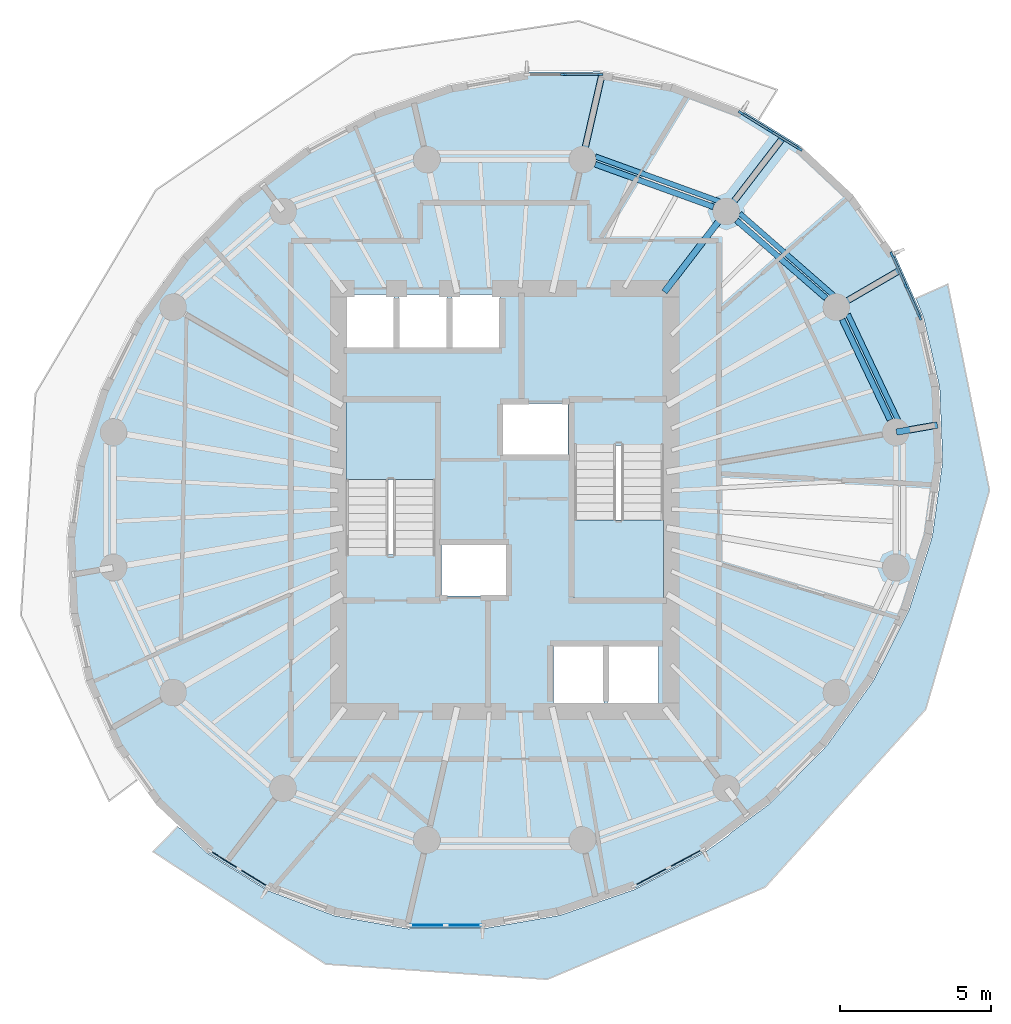
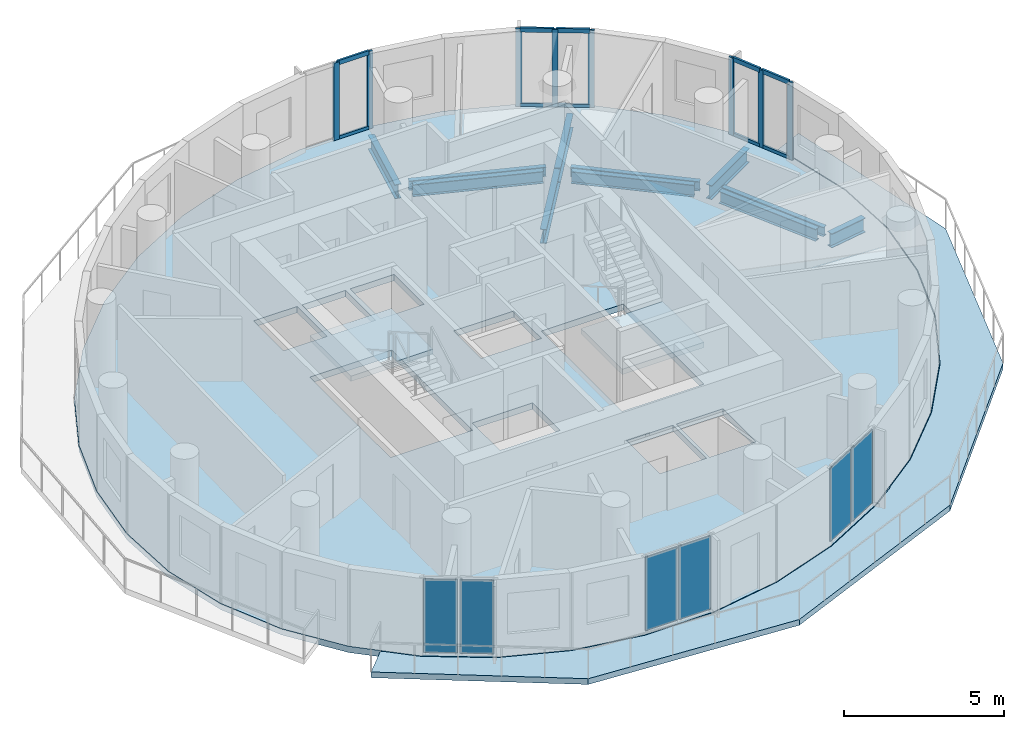
# One storey, part 3 of 10: 18 members, 11 beams, 6 plates, 4 slabs, 8 elements without a shape of their own.
"""IFC4 building model written with IfcOpenShell, lengths in metres."""

from ifc_helpers import new_model, si_unit, direction, frame, origin, origin_2d, place, context, subcontext, project, spatial, polyline, rectangle, i_section, outline, extrude, material, layer, layer_set, material_profile, profile_set, type_object, element, aggregate, save


model = new_model("IFC4")

# Units and contexts
model_context = context("Model", 3, precision=1e-05, world=origin(), true_north=direction((0.0, 1.0)))
body_context = subcontext(model_context, "Body", "Model", "MODEL_VIEW")
ifc_project = project(units=[si_unit("LENGTHUNIT", "METRE"), si_unit("AREAUNIT", "SQUARE_METRE"), si_unit("VOLUMEUNIT", "CUBIC_METRE"), si_unit("PLANEANGLEUNIT", "RADIAN"), si_unit("MASSUNIT", "GRAM", prefix="KILO")], contexts=[model_context])

# Site, building, storey
site_placement = place(None, origin())
site = spatial("IfcSite", under=ifc_project, at=site_placement, CompositionType="ELEMENT")
building_placement = place(site_placement, origin())
building = spatial("IfcBuilding", under=site, at=building_placement, Name="Veldorim Arch Residences", CompositionType="ELEMENT")
storey_placement = place(building_placement, frame((0.0, 0.0, 172.639892578125)))
storey = spatial("IfcBuildingStorey", under=building, at=storey_placement, Name="L51", CompositionType="ELEMENT", Elevation=172.639892578125)

# Beams
ifc_material_1 = material(Name="Steel S355", Category="steel")
ifc_material_profile_1 = material_profile(ifc_material_1, i_section(OverallWidth=0.2119140625, OverallDepth=0.54443359375, WebThickness=0.0126953125, FlangeThickness=0.021240234375, at=origin_2d()), Name="UB533x210x122")
ifc_profile_set_1 = profile_set([ifc_material_profile_1], Name="Steel S355")
beam_type_1 = type_object("IfcBeamType", Name="Structural Steel Beam UB533x210x122", PredefinedType="BEAM", material=ifc_profile_set_1)
beam_1_placement = place(storey_placement, frame((44.966064453125, 26.242919921875, -0.51220703125), z_axis=(0.985349360006, 0.170548054035, 0.0), x_axis=(-0.170548054035, 0.985349360006, 0.0)))
element("IfcBeam", 1, at=beam_1_placement, inside=storey, type_object=beam_type_1, Name="L51 radial edge cantilever girder 01", PredefinedType="BEAM", context=body_context, shape_type="SweptSolid", body=[
    extrude(i_section(OverallWidth=0.2119140625, OverallDepth=0.54443359375, WebThickness=0.0126953125, FlangeThickness=0.021240234375, at=origin_2d()), origin(), (0.0, 0.0, 1.0), 1.377197265625),
])
beam_2_placement = place(storey_placement, frame((42.99267578125, 30.387939453125, -0.51220703125), z_axis=(0.864610127671, 0.502443357135, 0.0), x_axis=(-0.502443357135, 0.864610127671, 0.0)))
element("IfcBeam", 2, at=beam_2_placement, inside=storey, type_object=beam_type_1, Name="L51 radial edge cantilever girder 02", PredefinedType="BEAM", context=body_context, shape_type="SweptSolid", body=[
    extrude(i_section(OverallWidth=0.2119140625, OverallDepth=0.54443359375, WebThickness=0.0126953125, FlangeThickness=0.021240234375, at=origin_2d()), origin(), (0.0, 0.0, 1.0), 2.372314453125),
])
beam_3_placement = place(storey_placement, frame((37.28662109375, 30.881103515625, -0.51220703125), z_axis=(0.609258442308, 0.792971721108, 0.0), x_axis=(-0.792971721108, 0.609258442308, 0.0)))
element("IfcBeam", 3, at=beam_3_placement, inside=storey, type_object=beam_type_1, Name="L51 radial floor girder 03", PredefinedType="BEAM", context=body_context, shape_type="SweptSolid", body=[
    extrude(i_section(OverallWidth=0.2119140625, OverallDepth=0.54443359375, WebThickness=0.0126953125, FlangeThickness=0.021240234375, at=origin_2d()), origin(), (0.0, 0.0, 1.0), 3.339599609375),
])
beam_4_placement = place(storey_placement, frame((39.345703125, 33.561279296875, -0.51220703125), z_axis=(0.609245785417, 0.792981445528, 0.0), x_axis=(-0.792981445528, 0.609245785417, 0.0)))
element("IfcBeam", 4, at=beam_4_placement, inside=storey, type_object=beam_type_1, Name="L51 radial edge cantilever girder 03", PredefinedType="BEAM", context=body_context, shape_type="SweptSolid", body=[
    extrude(i_section(OverallWidth=0.2119140625, OverallDepth=0.54443359375, WebThickness=0.0126953125, FlangeThickness=0.021240234375, at=origin_2d()), origin(), (0.0, 0.0, 1.0), 3.020263671875),
])
beam_5_placement = place(storey_placement, frame((34.57958984375, 35.27880859375, -0.51220703125), z_axis=(0.222975521586, 0.974824044007, 0.0), x_axis=(-0.974824044007, 0.222975521586, 0.0)))
element("IfcBeam", 5, at=beam_5_placement, inside=storey, type_object=beam_type_1, Name="L51 radial edge cantilever girder 04", PredefinedType="BEAM", context=body_context, shape_type="SweptSolid", body=[
    extrude(i_section(OverallWidth=0.2119140625, OverallDepth=0.54443359375, WebThickness=0.0126953125, FlangeThickness=0.021240234375, at=origin_2d()), origin(), (0.0, 0.0, 1.0), 2.85888671875),
])
ifc_material_2 = material(Name="Steel S355", Category="steel")
ifc_material_profile_2 = material_profile(ifc_material_2, i_section(OverallWidth=0.172119140625, OverallDepth=0.35791015625, WebThickness=0.008056640625, FlangeThickness=0.012939453125, at=origin_2d()), Name="UB356x171x57")
ifc_profile_set_2 = profile_set([ifc_material_profile_2], Name="Steel S355")
beam_type_2 = type_object("IfcBeamType", Name="Structural Steel Spandrel UB356x171x57", PredefinedType="SPANDREL", material=ifc_profile_set_2)
beam_6_placement = place(storey_placement, frame((45.0205078125, 26.6396484375, -0.43896484375), z_axis=(-0.428408308939, 0.903585259304, 0.0), x_axis=(-0.903585259304, -0.428408308939, 0.0)))
element("IfcBeam", 6, at=beam_6_placement, inside=storey, type_object=beam_type_2, Name="L51 perimeter chord spandrel beam 01", PredefinedType="SPANDREL", context=body_context, shape_type="SweptSolid", body=[
    extrude(i_section(OverallWidth=0.172119140625, OverallDepth=0.35791015625, WebThickness=0.008056640625, FlangeThickness=0.012939453125, at=origin_2d()), origin(), (0.0, 0.0, 1.0), 3.878662109375),
])
beam_7_placement = place(storey_placement, frame((42.891357421875, 30.762939453125, -0.43896484375), z_axis=(-0.752847646119, 0.6581948205, 0.0), x_axis=(-0.6581948205, -0.752847646119, 0.0)))
element("IfcBeam", 7, at=beam_7_placement, inside=storey, type_object=beam_type_2, Name="L51 perimeter chord spandrel beam 02", PredefinedType="SPANDREL", context=body_context, shape_type="SweptSolid", body=[
    extrude(i_section(OverallWidth=0.172119140625, OverallDepth=0.35791015625, WebThickness=0.008056640625, FlangeThickness=0.012939453125, at=origin_2d()), origin(), (0.0, 0.0, 1.0), 4.12939453125),
])
beam_8_placement = place(storey_placement, frame((39.112060546875, 33.87646484375, -0.43896484375), z_axis=(-0.940164695555, 0.340720332871, 0.0), x_axis=(-0.340720332871, -0.940164695555, 0.0)))
element("IfcBeam", 8, at=beam_8_placement, inside=storey, type_object=beam_type_2, Name="L51 perimeter chord spandrel beam 03", PredefinedType="SPANDREL", context=body_context, shape_type="SweptSolid", body=[
    extrude(i_section(OverallWidth=0.172119140625, OverallDepth=0.35791015625, WebThickness=0.008056640625, FlangeThickness=0.012939453125, at=origin_2d()), origin(), (0.0, 0.0, 1.0), 4.370849609375),
])
ifc_material_3 = material(Name="Steel S355", Category="steel")
ifc_material_profile_3 = material_profile(ifc_material_3, i_section(OverallWidth=0.19140625, OverallDepth=0.4599609375, WebThickness=0.010009765625, FlangeThickness=0.01611328125, at=origin_2d()), Name="UB457x191x82")
ifc_profile_set_3 = profile_set([ifc_material_profile_3], Name="Steel S355")
beam_type_3 = type_object("IfcBeamType", Name="Structural Steel Spandrel UB457x191x82", PredefinedType="SPANDREL", material=ifc_profile_set_3)
beam_9_placement = place(storey_placement, frame((44.7529296875, 26.64599609375, -0.469970703125), z_axis=(-0.430005613988, 0.902826213586, 0.0), x_axis=(-0.902826213586, -0.430005613988, 0.0)))
element("IfcBeam", 9, at=beam_9_placement, inside=storey, type_object=beam_type_3, Name="L51 perimeter ring tie beam 01", PredefinedType="SPANDREL", context=body_context, shape_type="SweptSolid", body=[
    extrude(i_section(OverallWidth=0.19140625, OverallDepth=0.4599609375, WebThickness=0.010009765625, FlangeThickness=0.01611328125, at=origin_2d()), origin(), (0.0, 0.0, 1.0), 3.68359375),
])
beam_10_placement = place(storey_placement, frame((42.635986328125, 30.673095703125, -0.469970703125), z_axis=(-0.754545285701, 0.656247980436, 0.0), x_axis=(-0.656247980436, -0.754545285701, 0.0)))
element("IfcBeam", 10, at=beam_10_placement, inside=storey, type_object=beam_type_3, Name="L51 perimeter ring tie beam 02", PredefinedType="SPANDREL", context=body_context, shape_type="SweptSolid", body=[
    extrude(i_section(OverallWidth=0.19140625, OverallDepth=0.4599609375, WebThickness=0.010009765625, FlangeThickness=0.01611328125, at=origin_2d()), origin(), (0.0, 0.0, 1.0), 3.9267578125),
])
beam_11_placement = place(storey_placement, frame((38.91015625, 33.69775390625, -0.469970703125), z_axis=(-0.940811035395, 0.338931550137, 0.0), x_axis=(-0.338931550137, -0.940811035395, 0.0)))
element("IfcBeam", 11, at=beam_11_placement, inside=storey, type_object=beam_type_3, Name="L51 perimeter ring tie beam 03", PredefinedType="SPANDREL", context=body_context, shape_type="SweptSolid", body=[
    extrude(i_section(OverallWidth=0.19140625, OverallDepth=0.4599609375, WebThickness=0.010009765625, FlangeThickness=0.01611328125, at=origin_2d()), origin(), (0.0, 0.0, 1.0), 4.15771484375),
])

# Curtain wall, members
ifc_material_4 = material(Name="Aluminium", Category="aluminium")
curtain_wall_type = type_object("IfcCurtainWallType", Name="Zone 4 High-Altitude Unitised Curtain Wall", PredefinedType="NOTDEFINED", material=ifc_material_4)
curtain_wall_1_placement = place(storey_placement, origin())
curtain_wall_1 = element("IfcCurtainWall", 12, at=curtain_wall_1_placement, inside=storey, type_object=curtain_wall_type, Name="L51 unitised curtain wall bay 02", PredefinedType="NOTDEFINED")
ifc_material_5 = material(Name="Aluminium", Category="aluminium")
ifc_material_profile_4 = material_profile(ifc_material_5, rectangle(XDim=0.074951171875, YDim=0.195068359375, at=origin_2d()), Name="ALU_MUL_75x195")
ifc_profile_set_4 = profile_set([ifc_material_profile_4], Name="Aluminium")
member_type_1 = type_object("IfcMemberType", Name="Zone 4 High-Altitude Unitised Curtain Wall Mullion 75x195", PredefinedType="MULLION", material=ifc_profile_set_4)
member_1_placement = place(storey_placement, frame((39.82470703125, 36.80859375, 0.0), z_axis=(0.0, 0.0, 1.0), x_axis=(0.525637112191, 0.850708896326, 0.0)))
member_1 = element("IfcMember", 13, at=member_1_placement, type_object=member_type_1, Name="CW-Z4 mullion 1", PredefinedType="MULLION", context=body_context, shape_type="SweptSolid", body=[
    extrude(rectangle(XDim=0.074951171875, YDim=0.195068359375, at=origin_2d()), origin(), (0.0, 0.0, 1.0), 2.960205078125),
])
member_2_placement = place(storey_placement, frame((40.791015625, 36.21142578125, 0.0), z_axis=(0.0, 0.0, 1.0), x_axis=(0.525637112191, 0.850708896326, 0.0)))
member_2 = element("IfcMember", 14, at=member_2_placement, type_object=member_type_1, Name="CW-Z4 mullion 2", PredefinedType="MULLION", context=body_context, shape_type="SweptSolid", body=[
    extrude(rectangle(XDim=0.074951171875, YDim=0.195068359375, at=origin_2d()), origin(), (0.0, 0.0, 1.0), 2.960205078125),
])
member_3_placement = place(storey_placement, frame((41.75732421875, 35.614501953125, 0.0), z_axis=(0.0, 0.0, 1.0), x_axis=(0.525637112191, 0.850708896326, 0.0)))
member_3 = element("IfcMember", 15, at=member_3_placement, type_object=member_type_1, Name="CW-Z4 mullion 3", PredefinedType="MULLION", context=body_context, shape_type="SweptSolid", body=[
    extrude(rectangle(XDim=0.074951171875, YDim=0.195068359375, at=origin_2d()), origin(), (0.0, 0.0, 1.0), 2.960205078125),
])

curtain_wall_2_placement = place(storey_placement, origin())
curtain_wall_2 = element("IfcCurtainWall", 16, at=curtain_wall_2_placement, inside=storey, type_object=curtain_wall_type, Name="L51 unitised curtain wall bay 05", PredefinedType="NOTDEFINED")
member_4_placement = place(storey_placement, frame((33.949462890625, 38.07666015625, 0.0), z_axis=(0.0, 0.0, 1.0), x_axis=(-0.002677634077, 0.999996415131, 0.0)))
member_4 = element("IfcMember", 17, at=member_4_placement, type_object=member_type_1, Name="CW-Z4 mullion 2", PredefinedType="MULLION", context=body_context, shape_type="SweptSolid", body=[
    extrude(rectangle(XDim=0.074951171875, YDim=0.195068359375, at=origin_2d()), origin(), (0.0, 0.0, 1.0), 2.960205078125),
])
member_5_placement = place(storey_placement, frame((35.1630859375, 38.080078125, 0.0), z_axis=(0.0, 0.0, 1.0), x_axis=(-0.002677634077, 0.999996415131, 0.0)))
member_5 = element("IfcMember", 18, at=member_5_placement, type_object=member_type_1, Name="CW-Z4 mullion 3", PredefinedType="MULLION", context=body_context, shape_type="SweptSolid", body=[
    extrude(rectangle(XDim=0.074951171875, YDim=0.195068359375, at=origin_2d()), origin(), (0.0, 0.0, 1.0), 2.960205078125),
])

curtain_wall_3_placement = place(storey_placement, origin())
curtain_wall_3 = element("IfcCurtainWall", 19, at=curtain_wall_3_placement, inside=storey, type_object=curtain_wall_type, Name="L51 unitised curtain wall bay 35", PredefinedType="NOTDEFINED")
member_6_placement = place(storey_placement, frame((44.814208984375, 32.117431640625, 0.0), z_axis=(0.0, 0.0, 1.0), x_axis=(0.913308311578, 0.407268864514, 0.0)))
member_6 = element("IfcMember", 20, at=member_6_placement, type_object=member_type_1, Name="CW-Z4 mullion 1", PredefinedType="MULLION", context=body_context, shape_type="SweptSolid", body=[
    extrude(rectangle(XDim=0.074951171875, YDim=0.195068359375, at=origin_2d()), origin(), (0.0, 0.0, 1.0), 2.960205078125),
])
member_7_placement = place(storey_placement, frame((45.27685546875, 31.080078125, 0.0), z_axis=(0.0, 0.0, 1.0), x_axis=(0.913308311578, 0.407268864514, 0.0)))
member_7 = element("IfcMember", 21, at=member_7_placement, type_object=member_type_1, Name="CW-Z4 mullion 2", PredefinedType="MULLION", context=body_context, shape_type="SweptSolid", body=[
    extrude(rectangle(XDim=0.074951171875, YDim=0.195068359375, at=origin_2d()), origin(), (0.0, 0.0, 1.0), 2.960205078125),
])
member_8_placement = place(storey_placement, frame((45.739501953125, 30.042724609375, 0.0), z_axis=(0.0, 0.0, 1.0), x_axis=(0.913308311578, 0.407268864514, 0.0)))
member_8 = element("IfcMember", 22, at=member_8_placement, type_object=member_type_1, Name="CW-Z4 mullion 3", PredefinedType="MULLION", context=body_context, shape_type="SweptSolid", body=[
    extrude(rectangle(XDim=0.074951171875, YDim=0.195068359375, at=origin_2d()), origin(), (0.0, 0.0, 1.0), 2.960205078125),
])

# Member
ifc_material_6 = material(Name="Aluminium", Category="aluminium")
ifc_material_profile_5 = material_profile(ifc_material_6, rectangle(XDim=0.074951171875, YDim=0.1650390625, at=origin_2d()), Name="ALU_TRN_75x165")
ifc_profile_set_5 = profile_set([ifc_material_profile_5], Name="Aluminium")
member_type_2 = type_object("IfcMemberType", Name="Zone 4 High-Altitude Unitised Curtain Wall Transom 75x165", PredefinedType="USERDEFINED", material=ifc_profile_set_5)
member_9_placement = place(storey_placement, frame((39.8564453125, 36.788818359375, 0.03759765625), z_axis=(0.850740499179, -0.525585961624, 0.0), x_axis=(0.525585961624, 0.850740499179, 0.0)))
member_9 = element("IfcMember", 23, at=member_9_placement, type_object=member_type_2, Name="CW-Z4 transom 1.1", ObjectType="TRANSOM", PredefinedType="USERDEFINED", context=body_context, shape_type="SweptSolid", body=[
    extrude(rectangle(XDim=0.074951171875, YDim=0.1650390625, at=origin_2d()), origin(), (0.0, 0.0, 1.0), 1.06103515625),
])

member_10_placement = place(storey_placement, frame((39.8564453125, 36.788818359375, 2.922607421875), z_axis=(0.850740499179, -0.525585961624, 0.0), x_axis=(0.525585961624, 0.850740499179, 0.0)))
member_10 = element("IfcMember", 24, at=member_10_placement, type_object=member_type_2, Name="CW-Z4 transom 1.2", ObjectType="TRANSOM", PredefinedType="USERDEFINED", context=body_context, shape_type="SweptSolid", body=[
    extrude(rectangle(XDim=0.074951171875, YDim=0.1650390625, at=origin_2d()), origin(), (0.0, 0.0, 1.0), 1.06103515625),
])

member_11_placement = place(storey_placement, frame((40.82275390625, 36.19189453125, 0.03759765625), z_axis=(0.850637601688, -0.525752480351, 0.0), x_axis=(0.525752480351, 0.850637601688, 0.0)))
member_11 = element("IfcMember", 25, at=member_11_placement, type_object=member_type_2, Name="CW-Z4 transom 2.1", ObjectType="TRANSOM", PredefinedType="USERDEFINED", context=body_context, shape_type="SweptSolid", body=[
    extrude(rectangle(XDim=0.074951171875, YDim=0.1650390625, at=origin_2d()), origin(), (0.0, 0.0, 1.0), 1.06103515625),
])

member_12_placement = place(storey_placement, frame((40.82275390625, 36.19189453125, 2.922607421875), z_axis=(0.850637601688, -0.525752480351, 0.0), x_axis=(0.525752480351, 0.850637601688, 0.0)))
member_12 = element("IfcMember", 26, at=member_12_placement, type_object=member_type_2, Name="CW-Z4 transom 2.2", ObjectType="TRANSOM", PredefinedType="USERDEFINED", context=body_context, shape_type="SweptSolid", body=[
    extrude(rectangle(XDim=0.074951171875, YDim=0.1650390625, at=origin_2d()), origin(), (0.0, 0.0, 1.0), 1.06103515625),
])

aggregate(curtain_wall_1, [member_1, member_2, member_3, member_9, member_10, member_11, member_12])

member_13_placement = place(storey_placement, frame((33.987060546875, 38.076904296875, 0.03759765625), z_axis=(0.999996688693, 0.002573442047, 0.0), x_axis=(-0.002573442047, 0.999996688693, 0.0)))
member_13 = element("IfcMember", 27, at=member_13_placement, type_object=member_type_2, Name="CW-Z4 transom 2.1", ObjectType="TRANSOM", PredefinedType="USERDEFINED", context=body_context, shape_type="SweptSolid", body=[
    extrude(rectangle(XDim=0.074951171875, YDim=0.1650390625, at=origin_2d()), origin(), (0.0, 0.0, 1.0), 1.138427734375),
])

member_14_placement = place(storey_placement, frame((33.987060546875, 38.076904296875, 2.922607421875), z_axis=(0.999996688693, 0.002573442047, 0.0), x_axis=(-0.002573442047, 0.999996688693, 0.0)))
member_14 = element("IfcMember", 28, at=member_14_placement, type_object=member_type_2, Name="CW-Z4 transom 2.2", ObjectType="TRANSOM", PredefinedType="USERDEFINED", context=body_context, shape_type="SweptSolid", body=[
    extrude(rectangle(XDim=0.074951171875, YDim=0.1650390625, at=origin_2d()), origin(), (0.0, 0.0, 1.0), 1.138427734375),
])

aggregate(curtain_wall_2, [member_4, member_5, member_13, member_14])

member_15_placement = place(storey_placement, frame((44.829345703125, 32.083251953125, 0.03759765625), z_axis=(0.407291054764, -0.913298416022, 0.0), x_axis=(0.913298416022, 0.407291054764, 0.0)))
member_15 = element("IfcMember", 29, at=member_15_placement, type_object=member_type_2, Name="CW-Z4 transom 1.1", ObjectType="TRANSOM", PredefinedType="USERDEFINED", context=body_context, shape_type="SweptSolid", body=[
    extrude(rectangle(XDim=0.074951171875, YDim=0.1650390625, at=origin_2d()), origin(), (0.0, 0.0, 1.0), 1.06103515625),
])

member_16_placement = place(storey_placement, frame((44.829345703125, 32.083251953125, 2.922607421875), z_axis=(0.407291054764, -0.913298416022, 0.0), x_axis=(0.913298416022, 0.407291054764, 0.0)))
member_16 = element("IfcMember", 30, at=member_16_placement, type_object=member_type_2, Name="CW-Z4 transom 1.2", ObjectType="TRANSOM", PredefinedType="USERDEFINED", context=body_context, shape_type="SweptSolid", body=[
    extrude(rectangle(XDim=0.074951171875, YDim=0.1650390625, at=origin_2d()), origin(), (0.0, 0.0, 1.0), 1.06103515625),
])

member_17_placement = place(storey_placement, frame((45.2919921875, 31.0458984375, 0.03759765625), z_axis=(0.407291054764, -0.913298416022, 0.0), x_axis=(0.913298416022, 0.407291054764, 0.0)))
member_17 = element("IfcMember", 31, at=member_17_placement, type_object=member_type_2, Name="CW-Z4 transom 2.1", ObjectType="TRANSOM", PredefinedType="USERDEFINED", context=body_context, shape_type="SweptSolid", body=[
    extrude(rectangle(XDim=0.074951171875, YDim=0.1650390625, at=origin_2d()), origin(), (0.0, 0.0, 1.0), 1.06103515625),
])

member_18_placement = place(storey_placement, frame((45.2919921875, 31.0458984375, 2.922607421875), z_axis=(0.407291054764, -0.913298416022, 0.0), x_axis=(0.913298416022, 0.407291054764, 0.0)))
member_18 = element("IfcMember", 32, at=member_18_placement, type_object=member_type_2, Name="CW-Z4 transom 2.2", ObjectType="TRANSOM", PredefinedType="USERDEFINED", context=body_context, shape_type="SweptSolid", body=[
    extrude(rectangle(XDim=0.074951171875, YDim=0.1650390625, at=origin_2d()), origin(), (0.0, 0.0, 1.0), 1.06103515625),
])

aggregate(curtain_wall_3, [member_6, member_7, member_8, member_15, member_16, member_17, member_18])

# Slab
ifc_material_7 = material(Name="Concrete C40/50", Category="concrete")
ifc_layer_1 = layer(ifc_material_7, 0.219970703125, Name="Planted Crescent Cantilever Balcony Slab 220")
ifc_layer_set_1 = layer_set([ifc_layer_1], Name="Concrete C40/50")
slab_type_1 = type_object("IfcSlabType", Name="Planted Crescent Cantilever Balcony Slab 220", PredefinedType="FLOOR", material=ifc_layer_set_1)
slab_1_placement = place(storey_placement, frame((0.0, 0.0, -0.219970703125)))
element("IfcSlab", 33, at=slab_1_placement, inside=storey, type_object=slab_type_1, Name="L51 planted crescent balcony slab B", PredefinedType="FLOOR", context=body_context, shape_type="SweptSolid", body=[
    extrude(outline(polyline([(21.28759765625, 13.114013671875), (22.148193359375, 12.30859375), (24.14892578125, 11.072509765625), (26.387939453125, 10.2294921875), (28.79736328125, 9.804931640625), (31.303955078125, 9.8115234375), (33.83154296875, 10.24951171875), (36.30322265625, 11.10498046875), (38.64404296875, 12.35205078125), (39.426025390625, 12.909912109375), (39.509033203125, 12.999267578125), (40.783203125, 13.952880859375), (42.655517578125, 15.85888671875), (44.204345703125, 18.01220703125), (45.38232421875, 20.347412109375), (46.154296875, 22.793701171875), (46.356689453125, 24.266357421875), (46.398193359375, 24.38525390625), (46.38623046875, 24.480712890625), (46.495849609375, 25.27685546875), (46.39697265625, 27.721435546875), (45.860595703125, 30.052978515625), (45.611083984375, 30.665771484375), (46.661865234375, 31.1328125), (48.04443359375, 24.315185546875), (45.931640625, 17.061279296875), (40.623291015625, 11.184814453125), (33.410888671875, 8.1328125), (26.0712890625, 8.637451171875), (20.367431640625, 12.356201171875), (21.172607421875, 13.17724609375), (21.28759765625, 13.114013671875)])), origin(), (0.0, 0.0, 1.0), 0.219970703125),
])

# Stair, slab
ifc_material_8 = material(Name="Concrete C40/50", Category="concrete")
stair_type = type_object("IfcStairType", Name="Reinforced Concrete Dogleg Exit Staircase", PredefinedType="HALF_TURN_STAIR", material=ifc_material_8)
stair_1_placement = place(storey_placement, origin())
stair_1 = element("IfcStair", 34, at=stair_1_placement, inside=storey, type_object=stair_type, Name="L51 Exit Staircase ST-1", PredefinedType="HALF_TURN_STAIR")
ifc_material_9 = material(Name="Concrete C40/50", Category="concrete")
ifc_layer_2 = layer(ifc_material_9, 0.199951171875, Name="Reinforced Concrete Stair Landing 200")
ifc_layer_set_2 = layer_set([ifc_layer_2], Name="Concrete C40/50")
slab_type_2 = type_object("IfcSlabType", Name="Reinforced Concrete Stair Landing 200", PredefinedType="LANDING", material=ifc_layer_set_2)
slab_2_placement = place(storey_placement, frame((0.0, 0.0, 1.400146484375)))
slab_2 = element("IfcSlab", 35, at=slab_2_placement, type_object=slab_type_2, Name="ST-1 landing 1", PredefinedType="LANDING", context=body_context, shape_type="SweptSolid", body=[
    extrude(outline(polyline([(29.7099609375, 24.669921875), (29.7099609375, 27.25), (26.75, 27.25), (26.75, 24.669921875), (29.7099609375, 24.669921875)])), origin(), (0.0, 0.0, 1.0), 0.199951171875),
])
aggregate(stair_1, [slab_2])

stair_2_placement = place(storey_placement, origin())
stair_2 = element("IfcStair", 36, at=stair_2_placement, inside=storey, type_object=stair_type, Name="L51 Exit Staircase ST-2", PredefinedType="HALF_TURN_STAIR")
slab_3_placement = place(storey_placement, frame((0.0, 0.0, 1.400146484375)))
slab_3 = element("IfcSlab", 37, at=slab_3_placement, type_object=slab_type_2, Name="ST-2 landing 1", PredefinedType="LANDING", context=body_context, shape_type="SweptSolid", body=[
    extrude(outline(polyline([(34.2900390625, 23.330078125), (34.2900390625, 20.75), (37.25, 20.75), (37.25, 23.330078125), (34.2900390625, 23.330078125)])), origin(), (0.0, 0.0, 1.0), 0.199951171875),
])
aggregate(stair_2, [slab_3])

# Slab
ifc_material_10 = material(Name="Concrete C40/50", Category="concrete")
ifc_layer_3 = layer(ifc_material_10, 0.239990234375, Name="Typical Residential Floor Slab 240")
ifc_layer_set_3 = layer_set([ifc_layer_3], Name="Concrete C40/50")
slab_type_3 = type_object("IfcSlabType", Name="Typical Residential Floor Slab 240", PredefinedType="FLOOR", material=ifc_layer_set_3)
slab_4_placement = place(storey_placement, frame((0.0, 0.0, -0.239990234375)))
element("IfcSlab", 38, at=slab_4_placement, inside=storey, type_object=slab_type_3, Name="L51 tower structural floor slab", PredefinedType="FLOOR", context=body_context, shape_type="SweptSolid", body=[
    extrude(outline(polyline([(43.533935546875, 34.0830078125), (41.83642578125, 35.67138671875), (39.840087890625, 36.90478515625), (37.60546875, 37.746337890625), (35.200439453125, 38.170166015625), (32.6982421875, 38.163330078125), (30.1748046875, 37.726318359375), (27.706787109375, 36.8720703125), (25.369384765625, 35.626708984375), (23.2333984375, 34.0283203125), (21.363525390625, 32.125), (19.817138671875, 29.974853515625), (18.640869140625, 27.643310546875), (17.870361328125, 25.20068359375), (17.529296875, 22.721923828125), (17.6279296875, 20.281982421875), (18.1630859375, 17.954833984375), (19.118896484375, 15.8115234375), (20.466064453125, 13.9169921875), (22.16357421875, 12.32861328125), (24.159912109375, 11.09521484375), (26.39453125, 10.253662109375), (28.799560546875, 9.829833984375), (31.3017578125, 9.836669921875), (33.8251953125, 10.273681640625), (36.293212890625, 11.1279296875), (38.630615234375, 12.373291015625), (40.7666015625, 13.9716796875), (42.636474609375, 15.875), (44.182861328125, 18.025146484375), (45.359130859375, 20.356689453125), (46.129638671875, 22.79931640625), (46.470703125, 25.278076171875), (46.3720703125, 27.718017578125), (45.8369140625, 30.045166015625), (44.881103515625, 32.1884765625), (43.533935546875, 34.0830078125)]), holes=[polyline([(33.610107421875, 17.2099609375), (33.610107421875, 19.2900390625), (35.2900390625, 19.2900390625), (35.2900390625, 17.2099609375), (33.610107421875, 17.2099609375)]), polyline([(35.409912109375, 17.2099609375), (35.409912109375, 19.2900390625), (37.090087890625, 19.2900390625), (37.090087890625, 17.2099609375), (35.409912109375, 17.2099609375)]), polyline([(29.909912109375, 20.81494140625), (29.909912109375, 22.544921875), (32.090087890625, 22.544921875), (32.090087890625, 20.81494140625), (29.909912109375, 20.81494140625)]), polyline([(34.2900390625, 20.75), (34.2900390625, 25.804931640625), (37.25, 25.804931640625), (37.25, 20.75), (34.2900390625, 20.75)]), polyline([(26.75, 22.195068359375), (26.75, 27.25), (29.7099609375, 27.25), (29.7099609375, 22.195068359375), (26.75, 22.195068359375)]), polyline([(31.909912109375, 25.455078125), (31.909912109375, 27.18505859375), (34.090087890625, 27.18505859375), (34.090087890625, 25.455078125), (31.909912109375, 25.455078125)]), polyline([(26.760009765625, 28.909912109375), (26.760009765625, 30.7900390625), (28.340087890625, 30.7900390625), (28.340087890625, 28.909912109375), (26.760009765625, 28.909912109375)]), polyline([(28.510009765625, 30.7900390625), (30.090087890625, 30.7900390625), (30.090087890625, 28.909912109375), (28.510009765625, 28.909912109375), (28.510009765625, 30.7900390625)]), polyline([(30.260009765625, 30.7900390625), (31.840087890625, 30.7900390625), (31.840087890625, 28.909912109375), (30.260009765625, 28.909912109375), (30.260009765625, 30.7900390625)])]), origin(), (0.0, 0.0, 1.0), 0.239990234375),
])

# Curtain wall, plates
curtain_wall_4_placement = place(storey_placement, origin())
curtain_wall_4 = element("IfcCurtainWall", 39, at=curtain_wall_4_placement, inside=storey, type_object=curtain_wall_type, Name="L51 unitised curtain wall bay 20", PredefinedType="NOTDEFINED")
ifc_material_11 = material(Name="Laminated Low-E Glass", Category="glass")
ifc_layer_4 = layer(ifc_material_11, 0.030029296875, Name="Zone 4 High-Altitude Unitised Curtain Wall Glazing Panel 30")
ifc_layer_set_4 = layer_set([ifc_layer_4], Name="Laminated Low-E Glass")
plate_type = type_object("IfcPlateType", Name="Zone 4 High-Altitude Unitised Curtain Wall Glazing Panel 30", PredefinedType="CURTAIN_PANEL", material=ifc_layer_set_4)
plate_1_placement = place(storey_placement, frame((23.692138671875, 11.489990234375, 0.0751953125), z_axis=(0.0, 0.0, 1.0), x_axis=(-0.850708896326, 0.525637112191, 0.0)))
plate_1 = element("IfcPlate", 40, at=plate_1_placement, type_object=plate_type, Name="CW-Z4 panel 1.1", PredefinedType="CURTAIN_PANEL", context=body_context, shape_type="SweptSolid", body=[
    extrude(rectangle(XDim=1.06103515625, YDim=0.030029296875, at=origin_2d()), origin(), (0.0, 0.0, 1.0), 2.81005859375),
])
plate_2_placement = place(storey_placement, frame((22.725830078125, 12.087158203125, 0.0751953125), z_axis=(0.0, 0.0, 1.0), x_axis=(-0.850708896326, 0.525637112191, 0.0)))
plate_2 = element("IfcPlate", 41, at=plate_2_placement, type_object=plate_type, Name="CW-Z4 panel 2.1", PredefinedType="CURTAIN_PANEL", context=body_context, shape_type="SweptSolid", body=[
    extrude(rectangle(XDim=1.06103515625, YDim=0.030029296875, at=origin_2d()), origin(), (0.0, 0.0, 1.0), 2.81005859375),
])
aggregate(curtain_wall_4, [plate_1, plate_2])

curtain_wall_5_placement = place(storey_placement, origin())
curtain_wall_5 = element("IfcCurtainWall", 42, at=curtain_wall_5_placement, inside=storey, type_object=curtain_wall_type, Name="L51 unitised curtain wall bay 23", PredefinedType="NOTDEFINED")
plate_3_placement = place(storey_placement, frame((30.6572265625, 9.9248046875, 0.0751953125), z_axis=(0.0, 0.0, 1.0), x_axis=(-0.999996415131, -0.002677634077, 0.0)))
plate_3 = element("IfcPlate", 43, at=plate_3_placement, type_object=plate_type, Name="CW-Z4 panel 1.1", PredefinedType="CURTAIN_PANEL", context=body_context, shape_type="SweptSolid", body=[
    extrude(rectangle(XDim=1.138671875, YDim=0.030029296875, at=origin_2d()), origin(), (0.0, 0.0, 1.0), 2.81005859375),
])
plate_4_placement = place(storey_placement, frame((29.443603515625, 9.921630859375, 0.0751953125), z_axis=(0.0, 0.0, 1.0), x_axis=(-0.999996415131, -0.002677634077, 0.0)))
plate_4 = element("IfcPlate", 44, at=plate_4_placement, type_object=plate_type, Name="CW-Z4 panel 2.1", PredefinedType="CURTAIN_PANEL", context=body_context, shape_type="SweptSolid", body=[
    extrude(rectangle(XDim=1.138671875, YDim=0.030029296875, at=origin_2d()), origin(), (0.0, 0.0, 1.0), 2.81005859375),
])
aggregate(curtain_wall_5, [plate_3, plate_4])

curtain_wall_6_placement = place(storey_placement, origin())
curtain_wall_6 = element("IfcCurtainWall", 45, at=curtain_wall_6_placement, inside=storey, type_object=curtain_wall_type, Name="L51 unitised curtain wall bay 26", PredefinedType="NOTDEFINED")
plate_5_placement = place(storey_placement, frame((37.987548828125, 12.132568359375, 0.0751953125), z_axis=(0.0, 0.0, 1.0), x_axis=(-0.882567110223, -0.470186448073, 0.0)))
plate_5 = element("IfcPlate", 46, at=plate_5_placement, type_object=plate_type, Name="CW-Z4 panel 1.1", PredefinedType="CURTAIN_PANEL", context=body_context, shape_type="SweptSolid", body=[
    extrude(rectangle(XDim=1.211669921875, YDim=0.030029296875, at=origin_2d()), origin(), (0.0, 0.0, 1.0), 2.81005859375),
])
plate_6_placement = place(storey_placement, frame((36.851806640625, 11.52734375, 0.0751953125), z_axis=(0.0, 0.0, 1.0), x_axis=(-0.882567110223, -0.470186448073, 0.0)))
plate_6 = element("IfcPlate", 47, at=plate_6_placement, type_object=plate_type, Name="CW-Z4 panel 2.1", PredefinedType="CURTAIN_PANEL", context=body_context, shape_type="SweptSolid", body=[
    extrude(rectangle(XDim=1.211669921875, YDim=0.030029296875, at=origin_2d()), origin(), (0.0, 0.0, 1.0), 2.81005859375),
])
aggregate(curtain_wall_6, [plate_5, plate_6])

save(model, "model.ifc")
